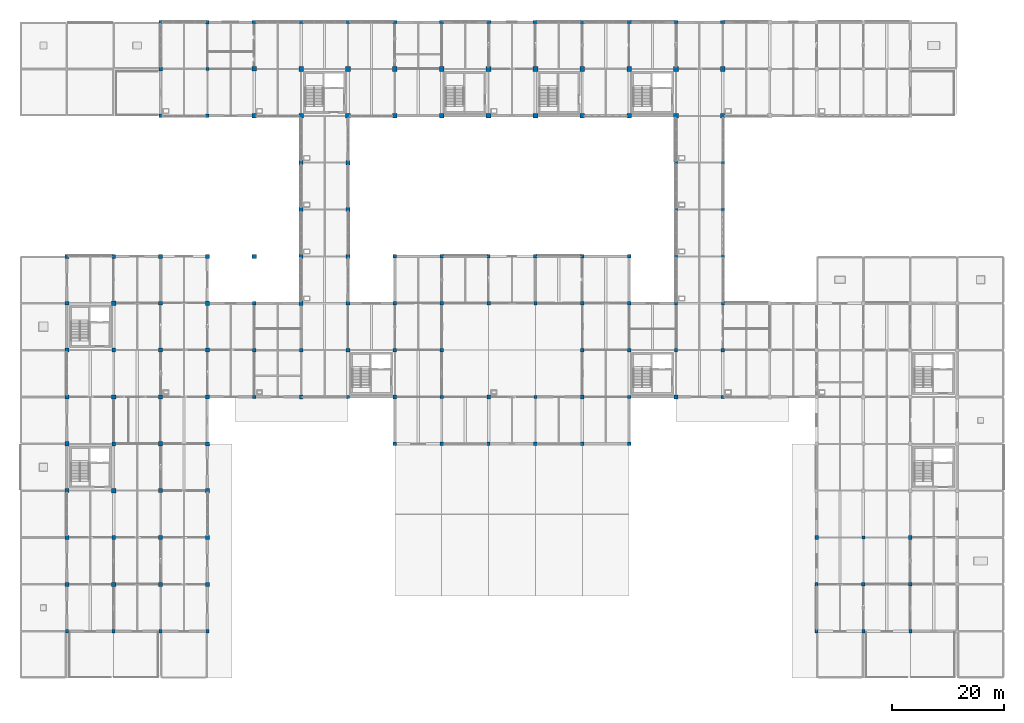
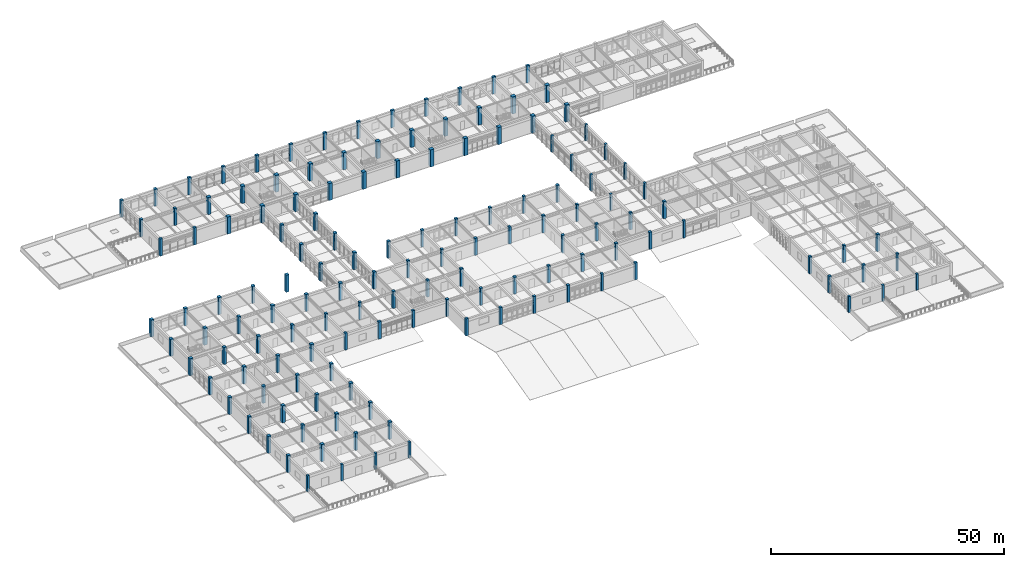
# One storey, part 1 of 78: 140 columns.
"""IFC4 building model written with IfcOpenShell, lengths in metres."""

from ifc_helpers import new_model, si_unit, direction, frame, origin, origin_2d, place, context, subcontext, project, spatial, rectangle, extrude, material, material_profile, profile_set, type_object, element, save


model = new_model("IFC4")

# Units and contexts
model_context = context("Model", 3, precision=1e-05, world=origin(), true_north=direction((0.0, 1.0)))
body_context = subcontext(model_context, "Body", "Model", "MODEL_VIEW")
ifc_project = project(units=[si_unit("LENGTHUNIT", "METRE"), si_unit("AREAUNIT", "SQUARE_METRE"), si_unit("VOLUMEUNIT", "CUBIC_METRE"), si_unit("PLANEANGLEUNIT", "RADIAN"), si_unit("MASSUNIT", "GRAM", prefix="KILO")], contexts=[model_context])

# Site, building, storey
site_placement = place(None, origin())
site = spatial("IfcSite", under=ifc_project, at=site_placement, CompositionType="ELEMENT")
building_placement = place(site_placement, origin())
building = spatial("IfcBuilding", under=site, at=building_placement, Name="Porcellanite Civic Hall", CompositionType="ELEMENT")
storey_placement = place(building_placement, frame((0.0, 0.0, 10.260009765625)))
storey = spatial("IfcBuildingStorey", under=building, at=storey_placement, Name="L02", CompositionType="ELEMENT", Elevation=10.260009765625)

# Columns
ifc_material_1 = material(Name="Concrete N50 (50 MPa)", Category="concrete")
ifc_material_profile_1 = material_profile(ifc_material_1, rectangle(XDim=0.550048828125, YDim=0.550048828125, at=origin_2d()), Name="RC-550x550")
ifc_profile_set_1 = profile_set([ifc_material_profile_1], Name="Concrete N50 (50 MPa)")
column_type_1 = type_object("IfcColumnType", Name="COL-550", PredefinedType="COLUMN", material=ifc_profile_set_1)
for number, where, z_axis, x_axis, name in (
    (1, (8.39990234375, 8.39990234375, 0.0), (0.0, 0.0, 1.0), (1.0, 0.0, 0.0), "Column L02 1-1"),
    (2, (16.800048828125, 8.39990234375, 0.0), (0.0, 0.0, 1.0), (1.0, 0.0, 0.0), "Column L02 2-1"),
    (3, (25.199951171875, 8.39990234375, 0.0), (0.0, 0.0, 1.0), (1.0, 0.0, 0.0), "Column L02 3-1"),
    (4, (33.60009765625, 8.39990234375, 0.0), (0.0, 0.0, 1.0), (1.0, 0.0, 0.0), "Column L02 4-1"),
    (5, (117.60009765625, 67.199951171875, 0.0), (0.0, 0.0, 1.0), (1.0, 0.0, 0.0), "Column L02 14-8"),
    (6, (117.60009765625, 75.60009765625, 0.0), (0.0, 0.0, 1.0), (1.0, 0.0, 0.0), "Column L02 14-9"),
    (7, (117.60009765625, 84.0, 0.0), (0.0, 0.0, 1.0), (1.0, 0.0, 0.0), "Column L02 14-10"),
    (8, (117.60009765625, 92.39990234375, 0.0), (0.0, 0.0, 1.0), (1.0, 0.0, 0.0), "Column L02 14-11"),
    (9, (126.0, 67.199951171875, 0.0), (0.0, 0.0, 1.0), (1.0, 0.0, 0.0), "Column L02 15-8"),
    (10, (126.0, 75.60009765625, 0.0), (0.0, 0.0, 1.0), (1.0, 0.0, 0.0), "Column L02 15-9"),
    (11, (126.0, 84.0, 0.0), (0.0, 0.0, 1.0), (1.0, 0.0, 0.0), "Column L02 15-10"),
    (12, (126.0, 92.39990234375, 0.0), (0.0, 0.0, 1.0), (1.0, 0.0, 0.0), "Column L02 15-11"),
    (13, (142.800048828125, 8.39990234375, 0.0), (0.0, 0.0, 1.0), (1.0, 0.0, 0.0), "Column L02 17-1"),
    (14, (151.199951171875, 8.39990234375, 0.0), (0.0, 0.0, 1.0), (1.0, 0.0, 0.0), "Column L02 18-1"),
    (15, (159.60009765625, 8.39990234375, 0.0), (0.0, 0.0, 1.0), (1.0, 0.0, 0.0), "Column L02 19-1"),
):
    element("IfcColumn", number, at=place(storey_placement, frame(where, z_axis=z_axis, x_axis=x_axis)), inside=storey, type_object=column_type_1, Name=name, PredefinedType="COLUMN", context=body_context, shape_type="SweptSolid", body=[
        extrude(rectangle(XDim=0.550048828125, YDim=0.550048828125, at=origin_2d()), origin(), (0.0, 0.0, 1.0), 4.25),
    ])
ifc_material_2 = material(Name="Concrete N50 (50 MPa)", Category="concrete")
ifc_material_profile_2 = material_profile(ifc_material_2, rectangle(XDim=0.60009765625, YDim=0.60009765625, at=origin_2d()), Name="RC-600x600")
ifc_profile_set_2 = profile_set([ifc_material_profile_2], Name="Concrete N50 (50 MPa)")
column_type_2 = type_object("IfcColumnType", Name="COL-600", PredefinedType="COLUMN", material=ifc_profile_set_2)
for number, where, z_axis, x_axis, name in (
    (16, (25.199951171875, 100.800048828125, 0.0), (0.0, 0.0, 1.0), (1.0, 0.0, 0.0), "Column L02 3-12"),
    (17, (25.199951171875, 117.60009765625, 0.0), (0.0, 0.0, 1.0), (1.0, 0.0, 0.0), "Column L02 3-14"),
    (18, (33.60009765625, 109.199951171875, 0.0), (0.0, 0.0, 1.0), (1.0, 0.0, 0.0), "Column L02 4-13"),
    (19, (42.0, 50.39990234375, 0.0), (0.0, 0.0, 1.0), (1.0, 0.0, 0.0), "Column L02 5-6"),
    (20, (50.39990234375, 58.800048828125, 0.0), (0.0, 0.0, 1.0), (1.0, 0.0, 0.0), "Column L02 6-7"),
    (21, (58.800048828125, 50.39990234375, 0.0), (0.0, 0.0, 1.0), (1.0, 0.0, 0.0), "Column L02 7-6"),
    (22, (67.199951171875, 42.0, 0.0), (0.0, 0.0, 1.0), (1.0, 0.0, 0.0), "Column L02 8-5"),
    (23, (67.199951171875, 58.800048828125, 0.0), (0.0, 0.0, 1.0), (1.0, 0.0, 0.0), "Column L02 8-7"),
    (24, (67.199951171875, 75.60009765625, 0.0), (0.0, 0.0, 1.0), (1.0, 0.0, 0.0), "Column L02 8-9"),
    (25, (75.60009765625, 50.39990234375, 0.0), (0.0, 0.0, 1.0), (1.0, 0.0, 0.0), "Column L02 9-6"),
    (26, (75.60009765625, 67.199951171875, 0.0), (0.0, 0.0, 1.0), (1.0, 0.0, 0.0), "Column L02 9-8"),
    (27, (84.0, 42.0, 0.0), (0.0, 0.0, 1.0), (1.0, 0.0, 0.0), "Column L02 10-5"),
    (28, (84.0, 75.60009765625, 0.0), (0.0, 0.0, 1.0), (1.0, 0.0, 0.0), "Column L02 10-9"),
    (29, (92.39990234375, 50.39990234375, 0.0), (0.0, 0.0, 1.0), (1.0, 0.0, 0.0), "Column L02 11-6"),
    (30, (92.39990234375, 67.199951171875, 0.0), (0.0, 0.0, 1.0), (1.0, 0.0, 0.0), "Column L02 11-8"),
    (31, (100.800048828125, 42.0, 0.0), (0.0, 0.0, 1.0), (1.0, 0.0, 0.0), "Column L02 12-5"),
):
    element("IfcColumn", number, at=place(storey_placement, frame(where, z_axis=z_axis, x_axis=x_axis)), inside=storey, type_object=column_type_2, Name=name, PredefinedType="COLUMN", context=body_context, shape_type="SweptSolid", body=[
        extrude(rectangle(XDim=0.60009765625, YDim=0.60009765625, at=origin_2d()), origin(), (0.0, 0.0, 1.0), 4.5),
    ])
column_1_placement = place(storey_placement, frame((100.800048828125, 58.800048828125, -0.300048828125), z_axis=(0.0, 0.0, 1.0), x_axis=(1.0, 0.0, 0.0)))
element("IfcColumn", 32, at=column_1_placement, inside=storey, type_object=column_type_2, Name="Column L02 12-7", PredefinedType="COLUMN", context=body_context, shape_type="SweptSolid", body=[
    extrude(rectangle(XDim=0.60009765625, YDim=0.60009765625, at=origin_2d()), origin(), (0.0, 0.0, 1.0), 4.800048828125),
])
for number, where, z_axis, x_axis, name in (
    (33, (100.800048828125, 75.60009765625, 0.0), (0.0, 0.0, 1.0), (1.0, 0.0, 0.0), "Column L02 12-9"),
    (34, (109.199951171875, 50.39990234375, 0.0), (0.0, 0.0, 1.0), (1.0, 0.0, 0.0), "Column L02 13-6"),
    (35, (109.199951171875, 67.199951171875, 0.0), (0.0, 0.0, 1.0), (1.0, 0.0, 0.0), "Column L02 13-8"),
    (36, (117.60009765625, 58.800048828125, 0.0), (0.0, 0.0, 1.0), (1.0, 0.0, 0.0), "Column L02 14-7"),
    (37, (126.0, 50.39990234375, 0.0), (0.0, 0.0, 1.0), (1.0, 0.0, 0.0), "Column L02 15-6"),
    (38, (142.800048828125, 16.800048828125, 0.0), (0.0, 0.0, 1.0), (1.0, 0.0, 0.0), "Column L02 17-2"),
    (39, (151.199951171875, 25.199951171875, 0.0), (0.0, 0.0, 1.0), (1.0, 0.0, 0.0), "Column L02 18-3"),
    (40, (159.60009765625, 16.800048828125, 0.0), (0.0, 0.0, 1.0), (1.0, 0.0, 0.0), "Column L02 19-2"),
):
    element("IfcColumn", number, at=place(storey_placement, frame(where, z_axis=z_axis, x_axis=x_axis)), inside=storey, type_object=column_type_2, Name=name, PredefinedType="COLUMN", context=body_context, shape_type="SweptSolid", body=[
        extrude(rectangle(XDim=0.60009765625, YDim=0.60009765625, at=origin_2d()), origin(), (0.0, 0.0, 1.0), 4.5),
    ])
ifc_material_3 = material(Name="Concrete N50 (50 MPa)", Category="concrete")
ifc_material_profile_3 = material_profile(ifc_material_3, rectangle(XDim=0.64990234375, YDim=0.64990234375, at=origin_2d()), Name="RC-650x650")
ifc_profile_set_3 = profile_set([ifc_material_profile_3], Name="Concrete N50 (50 MPa)")
column_type_3 = type_object("IfcColumnType", Name="COL-650", PredefinedType="COLUMN", material=ifc_profile_set_3)
for number, where, z_axis, x_axis, name in (
    (41, (25.199951171875, 109.199951171875, 0.0), (0.0, 0.0, 1.0), (1.0, 0.0, 0.0), "Column L02 3-13"),
    (42, (33.60009765625, 100.800048828125, 0.0), (0.0, 0.0, 1.0), (1.0, 0.0, 0.0), "Column L02 4-12"),
    (43, (33.60009765625, 117.60009765625, 0.0), (0.0, 0.0, 1.0), (1.0, 0.0, 0.0), "Column L02 4-14"),
    (44, (42.0, 58.800048828125, 0.0), (0.0, 0.0, 1.0), (1.0, 0.0, 0.0), "Column L02 5-7"),
    (45, (50.39990234375, 50.39990234375, 0.0), (0.0, 0.0, 1.0), (1.0, 0.0, 0.0), "Column L02 6-6"),
    (46, (58.800048828125, 58.800048828125, 0.0), (0.0, 0.0, 1.0), (1.0, 0.0, 0.0), "Column L02 7-7"),
    (47, (67.199951171875, 50.39990234375, 0.0), (0.0, 0.0, 1.0), (1.0, 0.0, 0.0), "Column L02 8-6"),
    (48, (67.199951171875, 67.199951171875, 0.0), (0.0, 0.0, 1.0), (1.0, 0.0, 0.0), "Column L02 8-8"),
    (49, (75.60009765625, 42.0, 0.0), (0.0, 0.0, 1.0), (1.0, 0.0, 0.0), "Column L02 9-5"),
):
    element("IfcColumn", number, at=place(storey_placement, frame(where, z_axis=z_axis, x_axis=x_axis)), inside=storey, type_object=column_type_3, Name=name, PredefinedType="COLUMN", context=body_context, shape_type="SweptSolid", body=[
        extrude(rectangle(XDim=0.64990234375, YDim=0.64990234375, at=origin_2d()), origin(), (0.0, 0.0, 1.0), 4.5),
    ])
column_2_placement = place(storey_placement, frame((75.60009765625, 58.800048828125, -0.300048828125), z_axis=(0.0, 0.0, 1.0), x_axis=(1.0, 0.0, 0.0)))
element("IfcColumn", 50, at=column_2_placement, inside=storey, type_object=column_type_3, Name="Column L02 9-7", PredefinedType="COLUMN", context=body_context, shape_type="SweptSolid", body=[
    extrude(rectangle(XDim=0.64990234375, YDim=0.64990234375, at=origin_2d()), origin(), (0.0, 0.0, 1.0), 4.800048828125),
])
for number, where, z_axis, x_axis, name in (
    (51, (75.60009765625, 75.60009765625, 0.0), (0.0, 0.0, 1.0), (1.0, 0.0, 0.0), "Column L02 9-9"),
    (52, (84.0, 50.39990234375, 0.0), (0.0, 0.0, 1.0), (1.0, 0.0, 0.0), "Column L02 10-6"),
    (53, (84.0, 67.199951171875, 0.0), (0.0, 0.0, 1.0), (1.0, 0.0, 0.0), "Column L02 10-8"),
    (54, (92.39990234375, 42.0, 0.0), (0.0, 0.0, 1.0), (1.0, 0.0, 0.0), "Column L02 11-5"),
    (55, (92.39990234375, 75.60009765625, 0.0), (0.0, 0.0, 1.0), (1.0, 0.0, 0.0), "Column L02 11-9"),
    (56, (100.800048828125, 50.39990234375, 0.0), (0.0, 0.0, 1.0), (1.0, 0.0, 0.0), "Column L02 12-6"),
    (57, (100.800048828125, 67.199951171875, 0.0), (0.0, 0.0, 1.0), (1.0, 0.0, 0.0), "Column L02 12-8"),
    (58, (109.199951171875, 42.0, 0.0), (0.0, 0.0, 1.0), (1.0, 0.0, 0.0), "Column L02 13-5"),
    (59, (109.199951171875, 58.800048828125, 0.0), (0.0, 0.0, 1.0), (1.0, 0.0, 0.0), "Column L02 13-7"),
    (60, (109.199951171875, 75.60009765625, 0.0), (0.0, 0.0, 1.0), (1.0, 0.0, 0.0), "Column L02 13-9"),
    (61, (117.60009765625, 50.39990234375, 0.0), (0.0, 0.0, 1.0), (1.0, 0.0, 0.0), "Column L02 14-6"),
    (62, (126.0, 58.800048828125, 0.0), (0.0, 0.0, 1.0), (1.0, 0.0, 0.0), "Column L02 15-7"),
    (63, (142.800048828125, 25.199951171875, 0.0), (0.0, 0.0, 1.0), (1.0, 0.0, 0.0), "Column L02 17-3"),
    (64, (151.199951171875, 16.800048828125, 0.0), (0.0, 0.0, 1.0), (1.0, 0.0, 0.0), "Column L02 18-2"),
    (65, (159.60009765625, 25.199951171875, 0.0), (0.0, 0.0, 1.0), (1.0, 0.0, 0.0), "Column L02 19-3"),
):
    element("IfcColumn", number, at=place(storey_placement, frame(where, z_axis=z_axis, x_axis=x_axis)), inside=storey, type_object=column_type_3, Name=name, PredefinedType="COLUMN", context=body_context, shape_type="SweptSolid", body=[
        extrude(rectangle(XDim=0.64990234375, YDim=0.64990234375, at=origin_2d()), origin(), (0.0, 0.0, 1.0), 4.5),
    ])
ifc_material_4 = material(Name="Concrete N50 (50 MPa)", Category="concrete")
ifc_material_profile_4 = material_profile(ifc_material_4, rectangle(XDim=0.699951171875, YDim=0.699951171875, at=origin_2d()), Name="RC-700x700")
ifc_profile_set_4 = profile_set([ifc_material_profile_4], Name="Concrete N50 (50 MPa)")
column_type_4 = type_object("IfcColumnType", Name="COL-700", PredefinedType="COLUMN", material=ifc_profile_set_4)
for number, where, z_axis, x_axis, name in (
    (66, (8.39990234375, 16.800048828125, 0.0), (0.0, 0.0, 1.0), (1.0, 0.0, 0.0), "Column L02 1-2"),
    (67, (8.39990234375, 33.60009765625, 0.0), (0.0, 0.0, 1.0), (1.0, 0.0, 0.0), "Column L02 1-4"),
    (68, (8.39990234375, 50.39990234375, 0.0), (0.0, 0.0, 1.0), (1.0, 0.0, 0.0), "Column L02 1-6"),
    (69, (8.39990234375, 67.199951171875, 0.0), (0.0, 0.0, 1.0), (1.0, 0.0, 0.0), "Column L02 1-8"),
    (70, (16.800048828125, 25.199951171875, 0.0), (0.0, 0.0, 1.0), (1.0, 0.0, 0.0), "Column L02 2-3"),
    (71, (16.800048828125, 42.0, 0.0), (0.0, 0.0, 1.0), (1.0, 0.0, 0.0), "Column L02 2-5"),
    (72, (16.800048828125, 58.800048828125, 0.0), (0.0, 0.0, 1.0), (1.0, 0.0, 0.0), "Column L02 2-7"),
    (73, (16.800048828125, 75.60009765625, 0.0), (0.0, 0.0, 1.0), (1.0, 0.0, 0.0), "Column L02 2-9"),
    (74, (25.199951171875, 16.800048828125, 0.0), (0.0, 0.0, 1.0), (1.0, 0.0, 0.0), "Column L02 3-2"),
    (75, (25.199951171875, 33.60009765625, 0.0), (0.0, 0.0, 1.0), (1.0, 0.0, 0.0), "Column L02 3-4"),
    (76, (25.199951171875, 50.39990234375, 0.0), (0.0, 0.0, 1.0), (1.0, 0.0, 0.0), "Column L02 3-6"),
    (77, (25.199951171875, 67.199951171875, 0.0), (0.0, 0.0, 1.0), (1.0, 0.0, 0.0), "Column L02 3-8"),
    (78, (33.60009765625, 25.199951171875, 0.0), (0.0, 0.0, 1.0), (1.0, 0.0, 0.0), "Column L02 4-3"),
    (79, (33.60009765625, 42.0, 0.0), (0.0, 0.0, 1.0), (1.0, 0.0, 0.0), "Column L02 4-5"),
    (80, (33.60009765625, 58.800048828125, 0.0), (0.0, 0.0, 1.0), (1.0, 0.0, 0.0), "Column L02 4-7"),
    (81, (33.60009765625, 75.60009765625, 0.0), (0.0, 0.0, 1.0), (1.0, 0.0, 0.0), "Column L02 4-9"),
    (82, (42.0, 67.199951171875, 0.0), (0.0, 0.0, 1.0), (1.0, 0.0, 0.0), "Column L02 5-8"),
    (83, (50.39990234375, 75.60009765625, 0.0), (0.0, 0.0, 1.0), (1.0, 0.0, 0.0), "Column L02 6-9"),
    (84, (50.39990234375, 92.39990234375, 0.0), (0.0, 0.0, 1.0), (1.0, 0.0, 0.0), "Column L02 6-11"),
    (85, (58.800048828125, 67.199951171875, 0.0), (0.0, 0.0, 1.0), (1.0, 0.0, 0.0), "Column L02 7-8"),
    (86, (58.800048828125, 84.0, 0.0), (0.0, 0.0, 1.0), (1.0, 0.0, 0.0), "Column L02 7-10"),
):
    element("IfcColumn", number, at=place(storey_placement, frame(where, z_axis=z_axis, x_axis=x_axis)), inside=storey, type_object=column_type_4, Name=name, PredefinedType="COLUMN", context=body_context, shape_type="SweptSolid", body=[
        extrude(rectangle(XDim=0.699951171875, YDim=0.699951171875, at=origin_2d()), origin(), (0.0, 0.0, 1.0), 4.5),
    ])
ifc_material_5 = material(Name="Concrete N50 (50 MPa)", Category="concrete")
ifc_material_profile_5 = material_profile(ifc_material_5, rectangle(XDim=0.75, YDim=0.75, at=origin_2d()), Name="RC-750x750")
ifc_profile_set_5 = profile_set([ifc_material_profile_5], Name="Concrete N50 (50 MPa)")
column_type_5 = type_object("IfcColumnType", Name="COL-750", PredefinedType="COLUMN", material=ifc_profile_set_5)
for number, where, z_axis, x_axis, name in (
    (87, (8.39990234375, 25.199951171875, 0.0), (0.0, 0.0, 1.0), (1.0, 0.0, 0.0), "Column L02 1-3"),
    (88, (8.39990234375, 42.0, 0.0), (0.0, 0.0, 1.0), (1.0, 0.0, 0.0), "Column L02 1-5"),
    (89, (8.39990234375, 58.800048828125, 0.0), (0.0, 0.0, 1.0), (1.0, 0.0, 0.0), "Column L02 1-7"),
    (90, (8.39990234375, 75.60009765625, 0.0), (0.0, 0.0, 1.0), (1.0, 0.0, 0.0), "Column L02 1-9"),
    (91, (16.800048828125, 16.800048828125, 0.0), (0.0, 0.0, 1.0), (1.0, 0.0, 0.0), "Column L02 2-2"),
    (92, (16.800048828125, 33.60009765625, 0.0), (0.0, 0.0, 1.0), (1.0, 0.0, 0.0), "Column L02 2-4"),
    (93, (16.800048828125, 50.39990234375, 0.0), (0.0, 0.0, 1.0), (1.0, 0.0, 0.0), "Column L02 2-6"),
    (94, (16.800048828125, 67.199951171875, 0.0), (0.0, 0.0, 1.0), (1.0, 0.0, 0.0), "Column L02 2-8"),
    (95, (25.199951171875, 25.199951171875, 0.0), (0.0, 0.0, 1.0), (1.0, 0.0, 0.0), "Column L02 3-3"),
    (96, (25.199951171875, 42.0, 0.0), (0.0, 0.0, 1.0), (1.0, 0.0, 0.0), "Column L02 3-5"),
    (97, (25.199951171875, 58.800048828125, 0.0), (0.0, 0.0, 1.0), (1.0, 0.0, 0.0), "Column L02 3-7"),
    (98, (25.199951171875, 75.60009765625, 0.0), (0.0, 0.0, 1.0), (1.0, 0.0, 0.0), "Column L02 3-9"),
    (99, (33.60009765625, 16.800048828125, 0.0), (0.0, 0.0, 1.0), (1.0, 0.0, 0.0), "Column L02 4-2"),
    (100, (33.60009765625, 33.60009765625, 0.0), (0.0, 0.0, 1.0), (1.0, 0.0, 0.0), "Column L02 4-4"),
    (101, (33.60009765625, 50.39990234375, 0.0), (0.0, 0.0, 1.0), (1.0, 0.0, 0.0), "Column L02 4-6"),
    (102, (33.60009765625, 67.199951171875, 0.0), (0.0, 0.0, 1.0), (1.0, 0.0, 0.0), "Column L02 4-8"),
    (103, (42.0, 75.60009765625, 0.0), (0.0, 0.0, 1.0), (1.0, 0.0, 0.0), "Column L02 5-9"),
    (104, (50.39990234375, 67.199951171875, 0.0), (0.0, 0.0, 1.0), (1.0, 0.0, 0.0), "Column L02 6-8"),
    (105, (50.39990234375, 84.0, 0.0), (0.0, 0.0, 1.0), (1.0, 0.0, 0.0), "Column L02 6-10"),
    (106, (58.800048828125, 75.60009765625, 0.0), (0.0, 0.0, 1.0), (1.0, 0.0, 0.0), "Column L02 7-9"),
    (107, (58.800048828125, 92.39990234375, 0.0), (0.0, 0.0, 1.0), (1.0, 0.0, 0.0), "Column L02 7-11"),
):
    element("IfcColumn", number, at=place(storey_placement, frame(where, z_axis=z_axis, x_axis=x_axis)), inside=storey, type_object=column_type_5, Name=name, PredefinedType="COLUMN", context=body_context, shape_type="SweptSolid", body=[
        extrude(rectangle(XDim=0.75, YDim=0.75, at=origin_2d()), origin(), (0.0, 0.0, 1.0), 4.5),
    ])
ifc_material_6 = material(Name="Concrete N50 (50 MPa)", Category="concrete")
ifc_material_profile_6 = material_profile(ifc_material_6, rectangle(XDim=0.800048828125, YDim=0.800048828125, at=origin_2d()), Name="RC-800x800")
ifc_profile_set_6 = profile_set([ifc_material_profile_6], Name="Concrete N50 (50 MPa)")
column_type_6 = type_object("IfcColumnType", Name="COL-800", PredefinedType="COLUMN", material=ifc_profile_set_6)
for number, where, z_axis, x_axis, name in (
    (108, (42.0, 100.800048828125, 0.0), (0.0, 0.0, 1.0), (1.0, 0.0, 0.0), "Column L02 5-12"),
    (109, (42.0, 109.199951171875, 0.0), (0.0, 0.0, 1.0), (1.0, 0.0, 0.0), "Column L02 5-13"),
):
    element("IfcColumn", number, at=place(storey_placement, frame(where, z_axis=z_axis, x_axis=x_axis)), inside=storey, type_object=column_type_6, Name=name, PredefinedType="COLUMN", context=body_context, shape_type="SweptSolid", body=[
        extrude(rectangle(XDim=0.800048828125, YDim=0.800048828125, at=origin_2d()), origin(), (0.0, 0.0, 1.0), 4.5),
    ])
ifc_material_7 = material(Name="Concrete N50 (50 MPa)", Category="concrete")
ifc_material_profile_7 = material_profile(ifc_material_7, rectangle(XDim=0.800048828125, YDim=0.550048828125, at=origin_2d()), Name="RC-800x550")
ifc_profile_set_7 = profile_set([ifc_material_profile_7], Name="Concrete N50 (50 MPa)")
column_type_7 = type_object("IfcColumnType", Name="COL-800x550", PredefinedType="COLUMN", material=ifc_profile_set_7)
for number, where, z_axis, x_axis, name in (
    (110, (42.0, 117.60009765625, 0.0), (0.0, 0.0, 1.0), (1.0, 0.0, 0.0), "Column L02 5-14"),
    (111, (50.39990234375, 117.60009765625, 0.0), (0.0, 0.0, 1.0), (1.0, 0.0, 0.0), "Column L02 6-14"),
    (112, (58.800048828125, 117.60009765625, 0.0), (0.0, 0.0, 1.0), (1.0, 0.0, 0.0), "Column L02 7-14"),
    (113, (67.199951171875, 117.60009765625, 0.0), (0.0, 0.0, 1.0), (1.0, 0.0, 0.0), "Column L02 8-14"),
    (114, (75.60009765625, 117.60009765625, 0.0), (0.0, 0.0, 1.0), (1.0, 0.0, 0.0), "Column L02 9-14"),
    (115, (84.0, 117.60009765625, 0.0), (0.0, 0.0, 1.0), (1.0, 0.0, 0.0), "Column L02 10-14"),
    (116, (92.39990234375, 117.60009765625, 0.0), (0.0, 0.0, 1.0), (1.0, 0.0, 0.0), "Column L02 11-14"),
    (117, (100.800048828125, 117.60009765625, 0.0), (0.0, 0.0, 1.0), (1.0, 0.0, 0.0), "Column L02 12-14"),
    (118, (109.199951171875, 117.60009765625, 0.0), (0.0, 0.0, 1.0), (1.0, 0.0, 0.0), "Column L02 13-14"),
    (119, (117.60009765625, 117.60009765625, 0.0), (0.0, 0.0, 1.0), (1.0, 0.0, 0.0), "Column L02 14-14"),
    (120, (126.0, 117.60009765625, 0.0), (0.0, 0.0, 1.0), (1.0, 0.0, 0.0), "Column L02 15-14"),
):
    element("IfcColumn", number, at=place(storey_placement, frame(where, z_axis=z_axis, x_axis=x_axis)), inside=storey, type_object=column_type_7, Name=name, PredefinedType="COLUMN", context=body_context, shape_type="SweptSolid", body=[
        extrude(rectangle(XDim=0.800048828125, YDim=0.550048828125, at=origin_2d()), origin(), (0.0, 0.0, 1.0), 4.5),
    ])
ifc_material_8 = material(Name="Concrete N50 (50 MPa)", Category="concrete")
ifc_material_profile_8 = material_profile(ifc_material_8, rectangle(XDim=0.85009765625, YDim=0.85009765625, at=origin_2d()), Name="RC-850x850")
ifc_profile_set_8 = profile_set([ifc_material_profile_8], Name="Concrete N50 (50 MPa)")
column_type_8 = type_object("IfcColumnType", Name="COL-850", PredefinedType="COLUMN", material=ifc_profile_set_8)
for number, where, z_axis, x_axis, name in (
    (121, (50.39990234375, 100.800048828125, 0.0), (0.0, 0.0, 1.0), (1.0, 0.0, 0.0), "Column L02 6-12"),
    (122, (50.39990234375, 109.199951171875, 0.0), (0.0, 0.0, 1.0), (1.0, 0.0, 0.0), "Column L02 6-13"),
    (123, (58.800048828125, 100.800048828125, 0.0), (0.0, 0.0, 1.0), (1.0, 0.0, 0.0), "Column L02 7-12"),
    (124, (58.800048828125, 109.199951171875, 0.0), (0.0, 0.0, 1.0), (1.0, 0.0, 0.0), "Column L02 7-13"),
    (125, (67.199951171875, 100.800048828125, 0.0), (0.0, 0.0, 1.0), (1.0, 0.0, 0.0), "Column L02 8-12"),
    (126, (67.199951171875, 109.199951171875, 0.0), (0.0, 0.0, 1.0), (1.0, 0.0, 0.0), "Column L02 8-13"),
    (127, (75.60009765625, 100.800048828125, 0.0), (0.0, 0.0, 1.0), (1.0, 0.0, 0.0), "Column L02 9-12"),
    (128, (75.60009765625, 109.199951171875, 0.0), (0.0, 0.0, 1.0), (1.0, 0.0, 0.0), "Column L02 9-13"),
    (129, (84.0, 100.800048828125, 0.0), (0.0, 0.0, 1.0), (1.0, 0.0, 0.0), "Column L02 10-12"),
    (130, (84.0, 109.199951171875, 0.0), (0.0, 0.0, 1.0), (1.0, 0.0, 0.0), "Column L02 10-13"),
    (131, (92.39990234375, 100.800048828125, 0.0), (0.0, 0.0, 1.0), (1.0, 0.0, 0.0), "Column L02 11-12"),
    (132, (92.39990234375, 109.199951171875, 0.0), (0.0, 0.0, 1.0), (1.0, 0.0, 0.0), "Column L02 11-13"),
    (133, (100.800048828125, 100.800048828125, 0.0), (0.0, 0.0, 1.0), (1.0, 0.0, 0.0), "Column L02 12-12"),
    (134, (100.800048828125, 109.199951171875, 0.0), (0.0, 0.0, 1.0), (1.0, 0.0, 0.0), "Column L02 12-13"),
    (135, (109.199951171875, 100.800048828125, 0.0), (0.0, 0.0, 1.0), (1.0, 0.0, 0.0), "Column L02 13-12"),
    (136, (109.199951171875, 109.199951171875, 0.0), (0.0, 0.0, 1.0), (1.0, 0.0, 0.0), "Column L02 13-13"),
    (137, (117.60009765625, 100.800048828125, 0.0), (0.0, 0.0, 1.0), (1.0, 0.0, 0.0), "Column L02 14-12"),
    (138, (117.60009765625, 109.199951171875, 0.0), (0.0, 0.0, 1.0), (1.0, 0.0, 0.0), "Column L02 14-13"),
    (139, (126.0, 100.800048828125, 0.0), (0.0, 0.0, 1.0), (1.0, 0.0, 0.0), "Column L02 15-12"),
    (140, (126.0, 109.199951171875, 0.0), (0.0, 0.0, 1.0), (1.0, 0.0, 0.0), "Column L02 15-13"),
):
    element("IfcColumn", number, at=place(storey_placement, frame(where, z_axis=z_axis, x_axis=x_axis)), inside=storey, type_object=column_type_8, Name=name, PredefinedType="COLUMN", context=body_context, shape_type="SweptSolid", body=[
        extrude(rectangle(XDim=0.85009765625, YDim=0.85009765625, at=origin_2d()), origin(), (0.0, 0.0, 1.0), 4.5),
    ])

save(model, "model.ifc")
